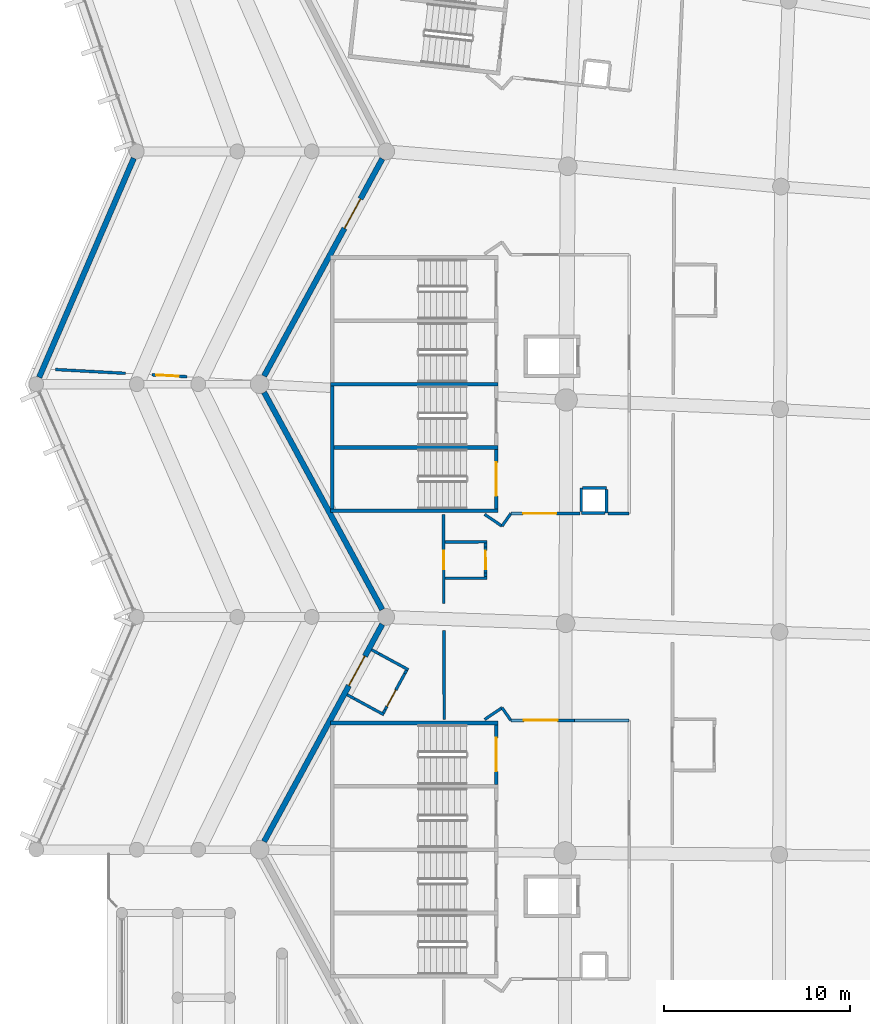
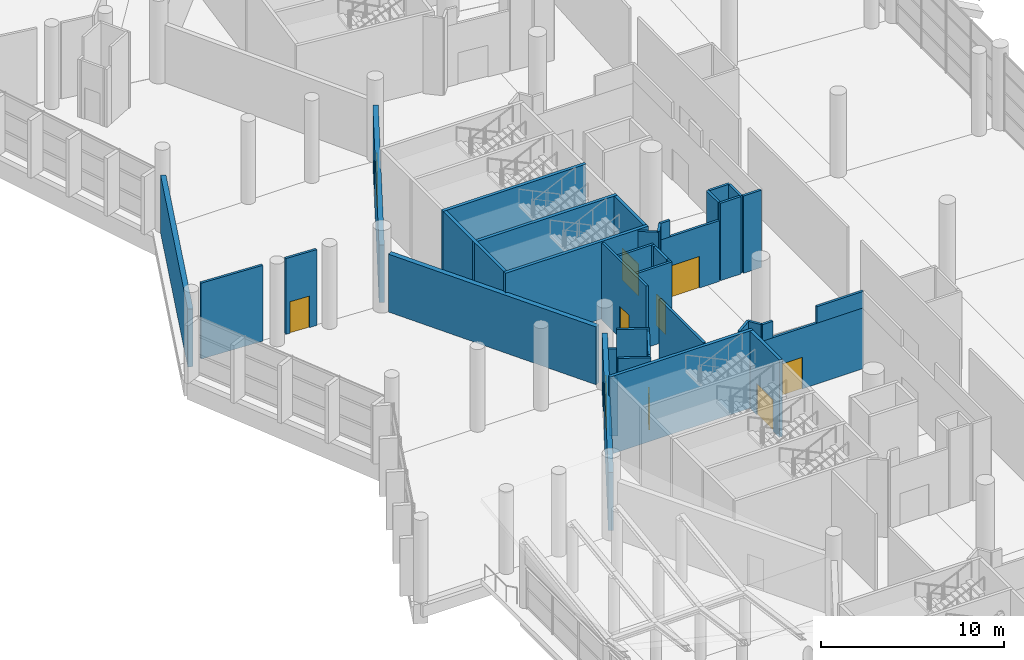
# One storey, part 180 of 271: 41 walls, 10 doors, 10 openings.
"""IFC4 building model written with IfcOpenShell, lengths in metres."""

from ifc_helpers import new_model, si_unit, direction, frame, frame_2d, origin, place, context, subcontext, project, spatial, rectangle, extrude, material, layer, layer_set, type_object, element, fill, save


model = new_model("IFC4")

# Units and contexts
model_context = context("Model", 3, precision=1e-05, world=origin(), true_north=direction((0.0, 1.0)))
body_context = subcontext(model_context, "Body", "Model", "MODEL_VIEW")
ifc_project = project(units=[si_unit("LENGTHUNIT", "METRE"), si_unit("AREAUNIT", "SQUARE_METRE"), si_unit("VOLUMEUNIT", "CUBIC_METRE"), si_unit("PLANEANGLEUNIT", "RADIAN"), si_unit("MASSUNIT", "GRAM", prefix="KILO")], contexts=[model_context])

# Site, building, storey
site_placement = place(None, origin())
site = spatial("IfcSite", under=ifc_project, at=site_placement, CompositionType="ELEMENT")
building_placement = place(site_placement, origin())
building = spatial("IfcBuilding", under=site, at=building_placement, Name="Meseta Stadium", CompositionType="ELEMENT")
storey_placement = place(building_placement, frame((0.0, 0.0, 6.5)))
storey = spatial("IfcBuildingStorey", under=building, at=storey_placement, Name="L01", CompositionType="ELEMENT", Elevation=6.5)

# Walls
ifc_material_1 = material(Name="Concrete C40/50", Category="concrete")
ifc_layer_1 = layer(ifc_material_1, 0.199951171875)
ifc_layer_set_1 = layer_set([ifc_layer_1], Name="Core divider wall 200")
wall_type_1 = type_object("IfcWallType", Name="Core divider wall 200", PredefinedType="SHEAR", material=ifc_layer_set_1)
wall_1_placement = place(storey_placement, frame((-97.60009765625, 27.85009765625, 0.0), z_axis=(0.0, 0.0, 1.0), x_axis=(1.0, 0.0, 0.0)))
element("IfcWall", 1, at=wall_1_placement, inside=storey, type_object=wall_type_1, Name="Core 16 L01 stair B divider wall", PredefinedType="SHEAR", context=body_context, shape_type="SweptSolid", body=[
    extrude(rectangle(XDim=9.0, YDim=0.199951171875, at=frame_2d((4.5, 0.0))), origin(), (0.0, 0.0, 1.0), 5.14990234375),
])
ifc_material_2 = material(Name="Concrete C40/50", Category="concrete")
ifc_layer_2 = layer(ifc_material_2, 0.199951171875)
ifc_layer_set_2 = layer_set([ifc_layer_2], Name="Core shaft wall 200")
wall_type_2 = type_object("IfcWallType", Name="Core shaft wall 200", PredefinedType="SHEAR", material=ifc_layer_set_2)
for number, where, z_axis, x_axis, name in (
    (2, (-97.60009765625, 31.25, 0.0), (0.0, 0.0, 1.0), (1.0, 0.0, 0.0), "Core 16 L01 stair wall shared"),
    (3, (-97.60009765625, 24.449951171875, 0.0), (0.0, 0.0, 1.0), (1.0, 0.0, 0.0), "Core 16 L01 stair wall B-side"),
):
    element("IfcWall", number, at=place(storey_placement, frame(where, z_axis=z_axis, x_axis=x_axis)), inside=storey, type_object=wall_type_2, Name=name, PredefinedType="SHEAR", context=body_context, shape_type="SweptSolid", body=[
        extrude(rectangle(XDim=9.0, YDim=0.199951171875, at=frame_2d((4.5, 0.0))), origin(), (0.0, 0.0, 1.0), 5.14990234375),
    ])
wall_2_placement = place(storey_placement, frame((-97.5, 31.14990234375, 0.0), z_axis=(0.0, 0.0, 1.0), x_axis=(0.0, -1.0, 0.0)))
element("IfcWall", 4, at=wall_2_placement, inside=storey, type_object=wall_type_2, Name="Core 16 L01 stair B outer end wall", PredefinedType="SHEAR", context=body_context, shape_type="SweptSolid", body=[
    extrude(rectangle(XDim=6.599853515625, YDim=0.199951171875, at=frame_2d((3.2998046875, 0.0))), origin(), (0.0, 0.0, 1.0), 5.14990234375),
])

# Wall, opening, door
wall_3_placement = place(storey_placement, frame((-88.699951171875, 27.75, 0.0), z_axis=(0.0, 0.0, 1.0), x_axis=(0.0, -1.0, 0.0)))
wall_3 = element("IfcWall", 5, at=wall_3_placement, inside=storey, type_object=wall_type_2, Name="Core 16 L01 stair B2 inner end wall", PredefinedType="SHEAR", context=body_context, shape_type="SweptSolid", body=[
    extrude(rectangle(XDim=3.199951171875, YDim=0.199951171875, at=frame_2d((1.60009765625, 0.0))), origin(), (0.0, 0.0, 1.0), 5.14990234375),
])
opening_1_placement = place(wall_3_placement, frame((0.699951171875, 0.0, 0.0)))
opening_1 = element("IfcOpeningElement", 6, at=opening_1_placement, cuts=wall_3, Name="Opening D222", PredefinedType="OPENING", context=body_context, shape_type="SweptSolid", body=[
    extrude(rectangle(XDim=1.800048828125, YDim=2.10009765625, at=frame_2d((0.89990234375, 1.050048828125))), frame((0.0, 0.10986328125, 0.0), z_axis=(0.0, -1.0, 0.0), x_axis=(1.0, 0.0, 0.0)), (0.0, 0.0, 1.0), 0.219970703125),
])
ifc_material_3 = material(Name="Steel", Category="steel")
door_type_1 = type_object("IfcDoorType", Name="Stair door 1800x2100", OperationType="DOUBLE_DOOR_SINGLE_SWING", PredefinedType="DOOR", material=ifc_material_3)
door_1_placement = place(opening_1_placement, origin())
door_1 = element("IfcDoor", 7, at=door_1_placement, inside=storey, type_object=door_type_1, Name="Stair B2 door 16 L01", OperationType="DOUBLE_DOOR_SINGLE_SWING", OverallHeight=2.10009765625, OverallWidth=1.800048828125, PredefinedType="DOOR", context=body_context, shape_type="SweptSolid", body=[
    extrude(rectangle(XDim=1.800048828125, YDim=2.10009765625, at=frame_2d((0.89990234375, 1.050048828125))), frame((0.0, 0.02490234375, 0.0), z_axis=(0.0, -1.0, 0.0), x_axis=(1.0, 0.0, 0.0)), (0.0, 0.0, 1.0), 0.050048828125),
])
fill(opening_1, door_1)

# Wall
wall_4_placement = place(storey_placement, frame((-97.60009765625, 13.050048828125, 0.0), z_axis=(0.0, 0.0, 1.0), x_axis=(1.0, 0.0, 0.0)))
element("IfcWall", 8, at=wall_4_placement, inside=storey, type_object=wall_type_2, Name="Core 17 L01 stair wall A-side", PredefinedType="SHEAR", context=body_context, shape_type="SweptSolid", body=[
    extrude(rectangle(XDim=9.0, YDim=0.199951171875, at=frame_2d((4.5, 0.0))), origin(), (0.0, 0.0, 1.0), 5.14990234375),
])

# Wall, opening, door
wall_5_placement = place(storey_placement, frame((-88.699951171875, 12.949951171875, 0.0), z_axis=(0.0, 0.0, 1.0), x_axis=(0.0, -1.0, 0.0)))
wall_5 = element("IfcWall", 9, at=wall_5_placement, inside=storey, type_object=wall_type_2, Name="Core 17 L01 stair A1 inner end wall", PredefinedType="SHEAR", context=body_context, shape_type="SweptSolid", body=[
    extrude(rectangle(XDim=3.199951171875, YDim=0.199951171875, at=frame_2d((1.60009765625, 0.0))), origin(), (0.0, 0.0, 1.0), 5.14990234375),
])
opening_2_placement = place(wall_5_placement, frame((0.699951171875, 0.0, 0.0)))
opening_2 = element("IfcOpeningElement", 10, at=opening_2_placement, cuts=wall_5, Name="Opening D233", PredefinedType="OPENING", context=body_context, shape_type="SweptSolid", body=[
    extrude(rectangle(XDim=1.800048828125, YDim=2.10009765625, at=frame_2d((0.89990234375, 1.050048828125))), frame((0.0, 0.10986328125, 0.0), z_axis=(0.0, -1.0, 0.0), x_axis=(1.0, 0.0, 0.0)), (0.0, 0.0, 1.0), 0.219970703125),
])
door_2_placement = place(opening_2_placement, origin())
door_2 = element("IfcDoor", 11, at=door_2_placement, inside=storey, type_object=door_type_1, Name="Stair A1 door 17 L01", OperationType="DOUBLE_DOOR_SINGLE_SWING", OverallHeight=2.10009765625, OverallWidth=1.800048828125, PredefinedType="DOOR", context=body_context, shape_type="SweptSolid", body=[
    extrude(rectangle(XDim=1.800048828125, YDim=2.10009765625, at=frame_2d((0.89990234375, 1.050048828125))), frame((0.0, 0.02490234375, 0.0), z_axis=(0.0, -1.0, 0.0), x_axis=(1.0, 0.0, 0.0)), (0.0, 0.0, 1.0), 0.050048828125),
])
fill(opening_2, door_2)

ifc_material_4 = material(Name="Masonry blockwork", Category="masonry")
ifc_layer_3 = layer(ifc_material_4, 0.14990234375)
ifc_layer_set_3 = layer_set([ifc_layer_3], Name="Partition 150")
wall_type_3 = type_object("IfcWallType", Name="Partition 150", PredefinedType="PARTITIONING", material=ifc_layer_set_3)
wall_6_placement = place(storey_placement, frame((-91.528564453125, 24.25, 0.0), z_axis=(0.0, 0.0, 1.0), x_axis=(0.00367531974, -0.99999324599, 0.0)))
wall_6 = element("IfcWall", 12, at=wall_6_placement, inside=storey, type_object=wall_type_3, Name="Partition L01 L01-cell15-2-0", PredefinedType="PARTITIONING", context=body_context, shape_type="SweptSolid", body=[
    extrude(rectangle(XDim=4.78271484375, YDim=0.14990234375, at=frame_2d((2.391357421875, 0.0))), origin(), (0.0, 0.0, 1.0), 5.14990234375),
])
opening_3_placement = place(wall_6_placement, frame((1.949951171875, 0.0, 0.0)))
opening_3 = element("IfcOpeningElement", 13, at=opening_3_placement, cuts=wall_6, Name="Opening D661", PredefinedType="OPENING", context=body_context, shape_type="SweptSolid", body=[
    extrude(rectangle(XDim=1.0, YDim=2.10009765625, at=frame_2d((0.5, 1.050048828125))), frame((0.0, 0.0849609375, 0.0), z_axis=(0.0, -1.0, 0.0), x_axis=(1.0, 0.0, 0.0)), (0.0, 0.0, 1.0), 0.169921875),
])
ifc_material_5 = material(Name="Steel", Category="steel")
door_type_2 = type_object("IfcDoorType", Name="Fire door 1000x2100 EI2 60", OperationType="NOTDEFINED", PredefinedType="DOOR", material=ifc_material_5)
door_3_placement = place(opening_3_placement, origin())
door_3 = element("IfcDoor", 14, at=door_3_placement, inside=storey, type_object=door_type_2, Name="Door D661", OperationType="SINGLE_SWING_RIGHT", OverallHeight=2.10009765625, OverallWidth=1.0, PredefinedType="DOOR", context=body_context, shape_type="SweptSolid", body=[
    extrude(rectangle(XDim=1.0, YDim=2.10009765625, at=frame_2d((0.5, 1.050048828125))), frame((0.0, 0.02490234375, 0.0), z_axis=(0.0, -1.0, 0.0), x_axis=(1.0, 0.0, 0.0)), (0.0, 0.0, 1.0), 0.050048828125),
])
fill(opening_3, door_3)

# Wall
wall_7_placement = place(storey_placement, frame((-91.505615234375, 18.03271484375, 0.0), z_axis=(0.0, 0.0, 1.0), x_axis=(0.003624274308, -0.999993432296, 0.0)))
element("IfcWall", 15, at=wall_7_placement, inside=storey, type_object=wall_type_3, Name="Partition L01 L01-cell15-2-0", PredefinedType="PARTITIONING", context=body_context, shape_type="SweptSolid", body=[
    extrude(rectangle(XDim=4.78271484375, YDim=0.14990234375, at=frame_2d((2.391357421875, 0.0))), origin(), (0.0, 0.0, 1.0), 5.14990234375),
])

# Wall, opening, door
wall_8_placement = place(storey_placement, frame((-107.192626953125, 31.75390625, 0.0), z_axis=(0.0, 0.0, 1.0), x_axis=(0.998499535397, -0.054760184555, 0.0)))
wall_8 = element("IfcWall", 16, at=wall_8_placement, inside=storey, type_object=wall_type_3, Name="Partition L01 L01-ring14-0", PredefinedType="PARTITIONING", context=body_context, shape_type="SweptSolid", body=[
    extrude(rectangle(XDim=1.885986328125, YDim=0.14990234375, at=frame_2d((0.94287109375, 0.0))), origin(), (0.0, 0.0, 1.0), 5.050048828125),
])
opening_4_placement = place(wall_8_placement, frame((0.23583984375, 0.0, 0.0)))
opening_4 = element("IfcOpeningElement", 17, at=opening_4_placement, cuts=wall_8, Name="Opening D696", PredefinedType="OPENING", context=body_context, shape_type="SweptSolid", body=[
    extrude(rectangle(XDim=1.199951171875, YDim=2.10009765625, at=frame_2d((0.60009765625, 1.050048828125))), frame((0.0, 0.0849609375, 0.0), z_axis=(0.0, -1.0, 0.0), x_axis=(1.0, 0.0, 0.0)), (0.0, 0.0, 1.0), 0.169921875),
])
ifc_material_6 = material(Name="Steel", Category="steel")
door_type_3 = type_object("IfcDoorType", Name="Fire door 1200x2100 EI2 60", OperationType="NOTDEFINED", PredefinedType="DOOR", material=ifc_material_6)
door_4_placement = place(opening_4_placement, origin())
door_4 = element("IfcDoor", 18, at=door_4_placement, inside=storey, type_object=door_type_3, Name="Door D696", OperationType="SINGLE_SWING_LEFT", OverallHeight=2.10009765625, OverallWidth=1.199951171875, PredefinedType="DOOR", context=body_context, shape_type="SweptSolid", body=[
    extrude(rectangle(XDim=1.199951171875, YDim=2.10009765625, at=frame_2d((0.60009765625, 1.050048828125))), frame((0.0, 0.02490234375, 0.0), z_axis=(0.0, -1.0, 0.0), x_axis=(1.0, 0.0, 0.0)), (0.0, 0.0, 1.0), 0.050048828125),
])
fill(opening_4, door_4)

# Walls
wall_9_placement = place(storey_placement, frame((-108.604736328125, 31.831298828125, 0.0), z_axis=(0.0, 0.0, 1.0), x_axis=(-0.998499535397, 0.054760184555, 0.0)))
element("IfcWall", 19, at=wall_9_placement, inside=storey, type_object=wall_type_3, Name="Partition L01 L01-ring14-0", PredefinedType="PARTITIONING", context=body_context, shape_type="SweptSolid", body=[
    extrude(rectangle(XDim=3.771728515625, YDim=0.14990234375, at=frame_2d((1.8857421875, 0.0))), origin(), (0.0, 0.0, 1.0), 5.050048828125),
])
wall_10_placement = place(storey_placement, frame((-84.125, 25.675048828125, 0.0), z_axis=(0.0, 0.0, 1.0), x_axis=(0.0, -1.0, 0.0)))
element("IfcWall", 20, at=wall_10_placement, inside=storey, type_object=wall_type_3, Name="Pressurisation shaft wall L01 core 16", PredefinedType="PARTITIONING", context=body_context, shape_type="SweptSolid", body=[
    extrude(rectangle(XDim=1.275146484375, YDim=0.14990234375, at=frame_2d((0.6376953125, 0.0))), origin(), (0.0, 0.0, 1.0), 5.14990234375),
])
wall_11_placement = place(storey_placement, frame((-84.125, 24.324951171875, 0.0), z_axis=(0.0, 0.0, 1.0), x_axis=(1.0, 0.0, 0.0)))
element("IfcWall", 21, at=wall_11_placement, inside=storey, type_object=wall_type_3, Name="Pressurisation shaft wall L01 core 16", PredefinedType="PARTITIONING", context=body_context, shape_type="SweptSolid", body=[
    extrude(rectangle(XDim=1.27490234375, YDim=0.14990234375, at=frame_2d((0.637451171875, 0.0))), origin(), (0.0, 0.0, 1.0), 5.14990234375),
])
for number, where, z_axis, x_axis, name in (
    (22, (-82.77490234375, 24.324951171875, 0.0), (0.0, 0.0, 1.0), (0.0, 1.0, 0.0), "Pressurisation shaft wall L01 core 16"),
    (23, (-82.77490234375, 25.675048828125, 0.0), (0.0, 0.0, 1.0), (-1.0, 0.0, 0.0), "Pressurisation shaft wall L01 core 16"),
):
    element("IfcWall", number, at=place(storey_placement, frame(where, z_axis=z_axis, x_axis=x_axis)), inside=storey, type_object=wall_type_3, Name=name, PredefinedType="PARTITIONING", context=body_context, shape_type="SweptSolid", body=[
        extrude(rectangle(XDim=1.275146484375, YDim=0.14990234375, at=frame_2d((0.6376953125, 0.0))), origin(), (0.0, 0.0, 1.0), 5.14990234375),
    ])
wall_12_placement = place(storey_placement, frame((-89.319580078125, 24.260498046875, 0.0), z_axis=(0.0, 0.0, 1.0), x_axis=(0.827055308354, -0.562120553728, 0.0)))
element("IfcWall", 24, at=wall_12_placement, inside=storey, type_object=wall_type_3, Name="Stair vestibule wall L01 core 16", PredefinedType="PARTITIONING", context=body_context, shape_type="SweptSolid", body=[
    extrude(rectangle(XDim=1.1279296875, YDim=0.14990234375, at=frame_2d((0.56396484375, 0.0))), origin(), (0.0, 0.0, 1.0), 5.14990234375),
])
wall_13_placement = place(storey_placement, frame((-88.38671875, 23.62646484375, 0.0), z_axis=(0.0, 0.0, 1.0), x_axis=(0.575376756214, 0.817888493872, 0.0)))
element("IfcWall", 25, at=wall_13_placement, inside=storey, type_object=wall_type_3, Name="Stair vestibule wall L01 core 16", PredefinedType="PARTITIONING", context=body_context, shape_type="SweptSolid", body=[
    extrude(rectangle(XDim=0.82958984375, YDim=0.14990234375, at=frame_2d((0.414794921875, 0.0))), origin(), (0.0, 0.0, 1.0), 5.14990234375),
])

# Wall, opening, door
wall_14_placement = place(storey_placement, frame((-87.909423828125, 24.304931640625, 0.0), z_axis=(0.0, 0.0, 1.0), x_axis=(1.0, 0.0, 0.0)))
wall_14 = element("IfcWall", 26, at=wall_14_placement, inside=storey, type_object=wall_type_3, Name="Stair vestibule wall L01 core 16", PredefinedType="PARTITIONING", context=body_context, shape_type="SweptSolid", body=[
    extrude(rectangle(XDim=3.70361328125, YDim=0.14990234375, at=frame_2d((1.851806640625, 0.0))), origin(), (0.0, 0.0, 1.0), 4.050048828125),
])
opening_5_placement = place(wall_14_placement, frame((0.64990234375, 0.0, 0.0)))
opening_5 = element("IfcOpeningElement", 27, at=opening_5_placement, cuts=wall_14, Name="Opening D783", PredefinedType="OPENING", context=body_context, shape_type="SweptSolid", body=[
    extrude(rectangle(XDim=1.800048828125, YDim=2.10009765625, at=frame_2d((0.89990234375, 1.050048828125))), frame((0.0, 0.0849609375, 0.0), z_axis=(0.0, -1.0, 0.0), x_axis=(1.0, 0.0, 0.0)), (0.0, 0.0, 1.0), 0.169921875),
])
ifc_material_7 = material(Name="Steel", Category="steel")
door_type_4 = type_object("IfcDoorType", Name="Fire double door 1800x2100 EI2 60", OperationType="DOUBLE_DOOR_SINGLE_SWING", PredefinedType="DOOR", material=ifc_material_7)
door_5_placement = place(opening_5_placement, origin())
door_5 = element("IfcDoor", 28, at=door_5_placement, inside=storey, type_object=door_type_4, Name="Stair vestibule door L01 core 16", OperationType="DOUBLE_DOOR_SINGLE_SWING", OverallHeight=2.10009765625, OverallWidth=1.800048828125, PredefinedType="DOOR", context=body_context, shape_type="SweptSolid", body=[
    extrude(rectangle(XDim=1.800048828125, YDim=2.10009765625, at=frame_2d((0.89990234375, 1.050048828125))), frame((0.0, 0.02490234375, 0.0), z_axis=(0.0, -1.0, 0.0), x_axis=(1.0, 0.0, 0.0)), (0.0, 0.0, 1.0), 0.050048828125),
])
fill(opening_5, door_5)

# Walls
wall_15_placement = place(storey_placement, frame((-87.909423828125, 24.304931640625, 4.050048828125), z_axis=(0.0, 0.0, 1.0), x_axis=(1.0, 0.0, 0.0)))
element("IfcWall", 29, at=wall_15_placement, inside=storey, type_object=wall_type_3, Name="Stair vestibule wall L01 core 16", PredefinedType="PARTITIONING", context=body_context, shape_type="SweptSolid", body=[
    extrude(rectangle(XDim=0.599853515625, YDim=0.14990234375, at=frame_2d((0.2998046875, 0.0))), origin(), (0.0, 0.0, 1.0), 1.099853515625),
])
wall_16_placement = place(storey_placement, frame((-82.68994140625, 24.304931640625, 0.0), z_axis=(0.0, 0.0, 1.0), x_axis=(1.0, 0.0, 0.0)))
element("IfcWall", 30, at=wall_16_placement, inside=storey, type_object=wall_type_3, Name="Stair vestibule wall L01 core 16", PredefinedType="PARTITIONING", context=body_context, shape_type="SweptSolid", body=[
    extrude(rectangle(XDim=1.135009765625, YDim=0.14990234375, at=frame_2d((0.5673828125, 0.0))), origin(), (0.0, 0.0, 1.0), 5.14990234375),
])

# Wall, opening, door
wall_17_placement = place(storey_placement, frame((-81.554931640625, 13.195068359375, 0.0), z_axis=(0.0, 0.0, 1.0), x_axis=(-1.0, 0.0, 0.0)))
wall_17 = element("IfcWall", 31, at=wall_17_placement, inside=storey, type_object=wall_type_3, Name="Stair vestibule wall L01 core 17", PredefinedType="PARTITIONING", context=body_context, shape_type="SweptSolid", body=[
    extrude(rectangle(XDim=6.354248046875, YDim=0.14990234375, at=frame_2d((3.17724609375, 0.0))), origin(), (0.0, 0.0, 1.0), 4.050048828125),
])
opening_6_placement = place(wall_17_placement, frame((3.85009765625, 0.0, 0.0)))
opening_6 = element("IfcOpeningElement", 32, at=opening_6_placement, cuts=wall_17, Name="Opening D787", PredefinedType="OPENING", context=body_context, shape_type="SweptSolid", body=[
    extrude(rectangle(XDim=1.800048828125, YDim=2.10009765625, at=frame_2d((0.89990234375, 1.050048828125))), frame((0.0, 0.0849609375, 0.0), z_axis=(0.0, -1.0, 0.0), x_axis=(1.0, 0.0, 0.0)), (0.0, 0.0, 1.0), 0.169921875),
])
door_6_placement = place(opening_6_placement, origin())
door_6 = element("IfcDoor", 33, at=door_6_placement, inside=storey, type_object=door_type_4, Name="Stair vestibule door L01 core 17", OperationType="DOUBLE_DOOR_SINGLE_SWING", OverallHeight=2.10009765625, OverallWidth=1.800048828125, PredefinedType="DOOR", context=body_context, shape_type="SweptSolid", body=[
    extrude(rectangle(XDim=1.800048828125, YDim=2.10009765625, at=frame_2d((0.89990234375, 1.050048828125))), frame((0.0, 0.02490234375, 0.0), z_axis=(0.0, -1.0, 0.0), x_axis=(1.0, 0.0, 0.0)), (0.0, 0.0, 1.0), 0.050048828125),
])
fill(opening_6, door_6)

# Walls
wall_18_placement = place(storey_placement, frame((-81.554931640625, 13.195068359375, 4.050048828125), z_axis=(0.0, 0.0, 1.0), x_axis=(-1.0, 0.0, 0.0)))
element("IfcWall", 34, at=wall_18_placement, inside=storey, type_object=wall_type_3, Name="Stair vestibule wall L01 core 17", PredefinedType="PARTITIONING", context=body_context, shape_type="SweptSolid", body=[
    extrude(rectangle(XDim=2.932861328125, YDim=0.14990234375, at=frame_2d((1.46630859375, 0.0))), origin(), (0.0, 0.0, 1.0), 1.099853515625),
])
wall_19_placement = place(storey_placement, frame((-87.2548828125, 13.195068359375, 4.050048828125), z_axis=(0.0, 0.0, 1.0), x_axis=(-1.0, 0.0, 0.0)))
element("IfcWall", 35, at=wall_19_placement, inside=storey, type_object=wall_type_3, Name="Stair vestibule wall L01 core 17", PredefinedType="PARTITIONING", context=body_context, shape_type="SweptSolid", body=[
    extrude(rectangle(XDim=0.654296875, YDim=0.14990234375, at=frame_2d((0.3271484375, 0.0))), origin(), (0.0, 0.0, 1.0), 1.099853515625),
])
wall_20_placement = place(storey_placement, frame((-87.9091796875, 13.195068359375, 0.0), z_axis=(0.0, 0.0, 1.0), x_axis=(-0.575573582652, 0.81774999294, 0.0)))
element("IfcWall", 36, at=wall_20_placement, inside=storey, type_object=wall_type_3, Name="Stair vestibule wall L01 core 17", PredefinedType="PARTITIONING", context=body_context, shape_type="SweptSolid", body=[
    extrude(rectangle(XDim=0.82958984375, YDim=0.14990234375, at=frame_2d((0.414794921875, 0.0))), origin(), (0.0, 0.0, 1.0), 5.14990234375),
])
wall_21_placement = place(storey_placement, frame((-88.38671875, 13.87353515625, 0.0), z_axis=(0.0, 0.0, 1.0), x_axis=(-0.827055308354, -0.562120553728, 0.0)))
element("IfcWall", 37, at=wall_21_placement, inside=storey, type_object=wall_type_3, Name="Stair vestibule wall L01 core 17", PredefinedType="PARTITIONING", context=body_context, shape_type="SweptSolid", body=[
    extrude(rectangle(XDim=1.1279296875, YDim=0.14990234375, at=frame_2d((0.56396484375, 0.0))), origin(), (0.0, 0.0, 1.0), 5.14990234375),
])
for number, where, z_axis, x_axis, name in (
    (38, (-91.4482421875, 22.775390625, 0.0), (0.0, 0.0, 1.0), (0.999993194838, 0.003689211005, 0.0), "Partition L01 L01-cell15-2-0 vestibule"),
    (39, (-91.44091796875, 20.8251953125, 0.0), (0.0, 0.0, 1.0), (0.999993194838, 0.003689211005, 0.0), "Partition L01 L01-cell15-2-0 vestibule"),
):
    element("IfcWall", number, at=place(storey_placement, frame(where, z_axis=z_axis, x_axis=x_axis)), inside=storey, type_object=wall_type_3, Name=name, PredefinedType="PARTITIONING", context=body_context, shape_type="SweptSolid", body=[
        extrude(rectangle(XDim=2.25, YDim=0.14990234375, at=frame_2d((1.125, 0.0))), origin(), (0.0, 0.0, 1.0), 5.14990234375),
    ])
wall_22_placement = place(storey_placement, frame((-89.27294921875, 22.708251953125, 0.0), z_axis=(0.0, 0.0, 1.0), x_axis=(0.003662979089, -0.99999329127, 0.0)))
element("IfcWall", 40, at=wall_22_placement, inside=storey, type_object=wall_type_3, Name="Partition L01 L01-cell15-2-0 vestibule", PredefinedType="PARTITIONING", context=body_context, shape_type="SweptSolid", body=[
    extrude(rectangle(XDim=0.199951171875, YDim=0.14990234375, at=frame_2d((0.10009765625, 0.0))), origin(), (0.0, 0.0, 1.0), 5.14990234375),
])

# Wall, opening, door
wall_23_placement = place(storey_placement, frame((-89.272216796875, 22.50830078125, 0.0), z_axis=(0.0, 0.0, 1.0), x_axis=(0.00366234028, -0.999993293609, 0.0)))
wall_23 = element("IfcWall", 41, at=wall_23_placement, inside=storey, type_object=wall_type_3, Name="Partition L01 L01-cell15-2-0 vestibule", PredefinedType="PARTITIONING", context=body_context, shape_type="SweptSolid", body=[
    extrude(rectangle(XDim=1.39990234375, YDim=0.14990234375, at=frame_2d((0.699951171875, 0.0))), origin(), (0.0, 0.0, 1.0), 5.14990234375),
])
opening_7_placement = place(wall_23_placement, frame((0.199951171875, 0.0, 0.0)))
opening_7 = element("IfcOpeningElement", 42, at=opening_7_placement, cuts=wall_23, Name="Opening D905", PredefinedType="OPENING", context=body_context, shape_type="SweptSolid", body=[
    extrude(rectangle(XDim=1.0, YDim=2.10009765625, at=frame_2d((0.5, 1.050048828125))), frame((0.0, 0.0849609375, 0.0), z_axis=(0.0, -1.0, 0.0), x_axis=(1.0, 0.0, 0.0)), (0.0, 0.0, 1.0), 0.169921875),
])
door_7_placement = place(opening_7_placement, origin())
door_7 = element("IfcDoor", 43, at=door_7_placement, inside=storey, type_object=door_type_2, Name="Vestibule door L01 L01-cell15-2-0", OperationType="SINGLE_SWING_LEFT", OverallHeight=2.10009765625, OverallWidth=1.0, PredefinedType="DOOR", context=body_context, shape_type="SweptSolid", body=[
    extrude(rectangle(XDim=1.0, YDim=2.10009765625, at=frame_2d((0.5, 1.050048828125))), frame((0.0, 0.02490234375, 0.0), z_axis=(0.0, -1.0, 0.0), x_axis=(1.0, 0.0, 0.0)), (0.0, 0.0, 1.0), 0.050048828125),
])
fill(opening_7, door_7)

# Walls
wall_24_placement = place(storey_placement, frame((-89.26708984375, 21.1083984375, 0.0), z_axis=(0.0, 0.0, 1.0), x_axis=(0.003658512101, -0.999993307622, 0.0)))
element("IfcWall", 44, at=wall_24_placement, inside=storey, type_object=wall_type_3, Name="Partition L01 L01-cell15-2-0 vestibule", PredefinedType="PARTITIONING", context=body_context, shape_type="SweptSolid", body=[
    extrude(rectangle(XDim=0.2001953125, YDim=0.14990234375, at=frame_2d((0.10009765625, 0.0))), origin(), (0.0, 0.0, 1.0), 5.14990234375),
])
wall_25_placement = place(storey_placement, frame((-96.7021484375, 14.57177734375, 0.0), z_axis=(0.0, 0.0, 1.0), x_axis=(0.878372019733, -0.477977609256, 0.0)))
element("IfcWall", 45, at=wall_25_placement, inside=storey, type_object=wall_type_3, Name="Partition L01 L01-cell15-2-0 vestibule", PredefinedType="PARTITIONING", context=body_context, shape_type="SweptSolid", body=[
    extrude(rectangle(XDim=0.449951171875, YDim=0.14990234375, at=frame_2d((0.22509765625, 0.0))), origin(), (0.0, 0.0, 1.0), 3.85009765625),
])
wall_26_placement = place(storey_placement, frame((-96.306884765625, 14.356689453125, 0.0), z_axis=(0.0, 0.0, 1.0), x_axis=(0.878428962466, -0.477872951632, 0.0)))
element("IfcWall", 46, at=wall_26_placement, inside=storey, type_object=wall_type_3, Name="Partition L01 L01-cell15-2-0 vestibule", PredefinedType="PARTITIONING", context=body_context, shape_type="SweptSolid", body=[
    extrude(rectangle(XDim=1.7998046875, YDim=0.14990234375, at=frame_2d((0.89990234375, 0.0))), origin(), (0.0, 0.0, 1.0), 5.14990234375),
])
wall_27_placement = place(storey_placement, frame((-95.38818359375, 16.9873046875, 0.0), z_axis=(0.0, 0.0, 1.0), x_axis=(0.878372019733, -0.477977609256, 0.0)))
element("IfcWall", 47, at=wall_27_placement, inside=storey, type_object=wall_type_3, Name="Partition L01 L01-cell15-2-0 vestibule", PredefinedType="PARTITIONING", context=body_context, shape_type="SweptSolid", body=[
    extrude(rectangle(XDim=0.449951171875, YDim=0.14990234375, at=frame_2d((0.22509765625, 0.0))), origin(), (0.0, 0.0, 1.0), 3.85009765625),
])
wall_28_placement = place(storey_placement, frame((-94.992919921875, 16.772216796875, 0.0), z_axis=(0.0, 0.0, 1.0), x_axis=(0.878459932885, -0.477816017223, 0.0)))
element("IfcWall", 48, at=wall_28_placement, inside=storey, type_object=wall_type_3, Name="Partition L01 L01-cell15-2-0 vestibule", PredefinedType="PARTITIONING", context=body_context, shape_type="SweptSolid", body=[
    extrude(rectangle(XDim=1.800048828125, YDim=0.14990234375, at=frame_2d((0.89990234375, 0.0))), origin(), (0.0, 0.0, 1.0), 5.14990234375),
])
wall_29_placement = place(storey_placement, frame((-94.755859375, 13.59814453125, 0.0), z_axis=(0.0, 0.0, 1.0), x_axis=(0.478168266369, 0.878268244352, 0.0)))
element("IfcWall", 49, at=wall_29_placement, inside=storey, type_object=wall_type_3, Name="Partition L01 L01-cell15-2-0 vestibule", PredefinedType="PARTITIONING", context=body_context, shape_type="SweptSolid", body=[
    extrude(rectangle(XDim=0.2001953125, YDim=0.14990234375, at=frame_2d((0.10009765625, 0.0))), origin(), (0.0, 0.0, 1.0), 5.14990234375),
])

# Wall, opening, door
wall_30_placement = place(storey_placement, frame((-94.66015625, 13.77392578125, 0.0), z_axis=(0.0, 0.0, 1.0), x_axis=(0.477887643273, 0.878420969927, 0.0)))
wall_30 = element("IfcWall", 50, at=wall_30_placement, inside=storey, type_object=wall_type_3, Name="Partition L01 L01-cell15-2-0 vestibule", PredefinedType="PARTITIONING", context=body_context, shape_type="SweptSolid", body=[
    extrude(rectangle(XDim=2.19970703125, YDim=0.14990234375, at=frame_2d((1.099853515625, 0.0))), origin(), (0.0, 0.0, 1.0), 5.14990234375),
])
opening_8_placement = place(wall_30_placement, frame((0.199951171875, 0.0, 0.0)))
opening_8 = element("IfcOpeningElement", 51, at=opening_8_placement, cuts=wall_30, Name="Opening D906", PredefinedType="OPENING", context=body_context, shape_type="SweptSolid", body=[
    extrude(rectangle(XDim=1.0, YDim=2.10009765625, at=frame_2d((0.5, 1.050048828125))), frame((0.0, 0.0849609375, 0.0), z_axis=(0.0, -1.0, 0.0), x_axis=(1.0, 0.0, 0.0)), (0.0, 0.0, 1.0), 0.169921875),
])
door_8_placement = place(opening_8_placement, origin())
door_8 = element("IfcDoor", 52, at=door_8_placement, inside=storey, type_object=door_type_2, Name="Vestibule door L01 L01-cell15-2-0", OperationType="SINGLE_SWING_LEFT", OverallHeight=2.10009765625, OverallWidth=1.0, PredefinedType="DOOR", context=body_context, shape_type="SweptSolid", body=[
    extrude(rectangle(XDim=1.0, YDim=2.10009765625, at=frame_2d((0.5, 1.050048828125))), frame((0.0, 0.02490234375, 0.0), z_axis=(0.0, -1.0, 0.0), x_axis=(1.0, 0.0, 0.0)), (0.0, 0.0, 1.0), 0.050048828125),
])
fill(opening_8, door_8)

# Wall
wall_31_placement = place(storey_placement, frame((-93.60888671875, 15.706298828125, 0.0), z_axis=(0.0, 0.0, 1.0), x_axis=(0.477226530971, 0.878780312785, 0.0)))
element("IfcWall", 53, at=wall_31_placement, inside=storey, type_object=wall_type_3, Name="Partition L01 L01-cell15-2-0 vestibule", PredefinedType="PARTITIONING", context=body_context, shape_type="SweptSolid", body=[
    extrude(rectangle(XDim=0.199951171875, YDim=0.14990234375, at=frame_2d((0.10009765625, 0.0))), origin(), (0.0, 0.0, 1.0), 5.14990234375),
])

# Wall, opening, door
ifc_material_8 = material(Name="White precast concrete C40/50", Category="concrete")
ifc_layer_4 = layer(ifc_material_8, 0.300048828125)
ifc_layer_set_4 = layer_set([ifc_layer_4], Name="Pleated panel wall 300 concourse")
wall_type_4 = type_object("IfcWallType", Name="Pleated panel wall 300 concourse", PredefinedType="SOLIDWALL", material=ifc_layer_set_4)
wall_32_placement = place(storey_placement, frame((-101.1611328125, 31.68896484375, 0.0), z_axis=(0.0, 0.0, 1.0), x_axis=(0.477867771117, 0.878431780691, 0.0)))
wall_32 = element("IfcWall", 54, at=wall_32_placement, inside=storey, type_object=wall_type_4, Name="Pleated facade panel L01 F29", PredefinedType="SOLIDWALL", context=body_context, shape_type="SweptSolid", body=[
    extrude(rectangle(XDim=13.2802734375, YDim=0.300048828125, at=frame_2d((6.64013671875, 0.0))), origin(), (0.0, 0.0, 1.0), 3.85009765625),
])
opening_9_placement = place(wall_32_placement, frame((9.030029296875, 0.0, 0.0)))
opening_9 = element("IfcOpeningElement", 55, at=opening_9_placement, cuts=wall_32, Name="Opening D989", PredefinedType="OPENING", context=body_context, shape_type="SweptSolid", body=[
    extrude(rectangle(XDim=1.800048828125, YDim=2.39990234375, at=frame_2d((0.89990234375, 1.199951171875))), frame((0.0, 0.159912109375, 0.0), z_axis=(0.0, -1.0, 0.0), x_axis=(1.0, 0.0, 0.0)), (0.0, 0.0, 1.0), 0.320068359375),
])
ifc_material_9 = material(Name="Steel", Category="steel")
door_type_5 = type_object("IfcDoorType", Name="Concourse double door 1800x2400", OperationType="DOUBLE_DOOR_SINGLE_SWING", PredefinedType="DOOR", material=ifc_material_9)
door_9_placement = place(opening_9_placement, origin())
door_9 = element("IfcDoor", 56, at=door_9_placement, inside=storey, type_object=door_type_5, Name="Concourse door", OperationType="DOUBLE_DOOR_SINGLE_SWING", OverallHeight=2.39990234375, OverallWidth=1.800048828125, PredefinedType="DOOR", context=body_context, shape_type="SweptSolid", body=[
    extrude(rectangle(XDim=1.800048828125, YDim=2.39990234375, at=frame_2d((0.89990234375, 1.199951171875))), frame((0.0, 0.02490234375, 0.0), z_axis=(0.0, -1.0, 0.0), x_axis=(1.0, 0.0, 0.0)), (0.0, 0.0, 1.0), 0.050048828125),
])
fill(opening_9, door_9)

# Wall
wall_33_placement = place(storey_placement, frame((-94.81494140625, 19.145263671875, 0.0), z_axis=(0.0, 0.0, 1.0), x_axis=(-0.477867771117, 0.878431780691, 0.0)))
element("IfcWall", 57, at=wall_33_placement, inside=storey, type_object=wall_type_4, Name="Pleated facade panel L01 F30", PredefinedType="SOLIDWALL", context=body_context, shape_type="SweptSolid", body=[
    extrude(rectangle(XDim=13.2802734375, YDim=0.300048828125, at=frame_2d((6.64013671875, 0.0))), origin(), (0.0, 0.0, 1.0), 3.85009765625),
])

# Wall, opening, door
wall_34_placement = place(storey_placement, frame((-101.1611328125, 6.68896484375, 0.0), z_axis=(0.0, 0.0, 1.0), x_axis=(0.477867771117, 0.878431780691, 0.0)))
wall_34 = element("IfcWall", 58, at=wall_34_placement, inside=storey, type_object=wall_type_4, Name="Pleated facade panel L01 F31", PredefinedType="SOLIDWALL", context=body_context, shape_type="SweptSolid", body=[
    extrude(rectangle(XDim=13.2802734375, YDim=0.300048828125, at=frame_2d((6.64013671875, 0.0))), origin(), (0.0, 0.0, 1.0), 3.85009765625),
])
opening_10_placement = place(wall_34_placement, frame((9.530029296875, 0.0, 0.0)))
opening_10 = element("IfcOpeningElement", 59, at=opening_10_placement, cuts=wall_34, Name="Opening D990", PredefinedType="OPENING", context=body_context, shape_type="SweptSolid", body=[
    extrude(rectangle(XDim=1.800048828125, YDim=2.39990234375, at=frame_2d((0.89990234375, 1.199951171875))), frame((0.0, 0.159912109375, 0.0), z_axis=(0.0, -1.0, 0.0), x_axis=(1.0, 0.0, 0.0)), (0.0, 0.0, 1.0), 0.320068359375),
])
ifc_material_10 = material(Name="Steel", Category="steel")
door_type_6 = type_object("IfcDoorType", Name="Fire double door 1800x2400 EI2 60", OperationType="DOUBLE_DOOR_SINGLE_SWING", PredefinedType="DOOR", material=ifc_material_10)
door_10_placement = place(opening_10_placement, origin())
door_10 = element("IfcDoor", 60, at=door_10_placement, inside=storey, type_object=door_type_6, Name="Concourse door", OperationType="DOUBLE_DOOR_SINGLE_SWING", OverallHeight=2.39990234375, OverallWidth=1.800048828125, PredefinedType="DOOR", context=body_context, shape_type="SweptSolid", body=[
    extrude(rectangle(XDim=1.800048828125, YDim=2.39990234375, at=frame_2d((0.89990234375, 1.199951171875))), frame((0.0, 0.02490234375, 0.0), z_axis=(0.0, -1.0, 0.0), x_axis=(1.0, 0.0, 0.0)), (0.0, 0.0, 1.0), 0.050048828125),
])
fill(opening_10, door_10)

# Wall
ifc_material_11 = material(Name="Precast concrete C40/50", Category="concrete")
ifc_layer_5 = layer(ifc_material_11, 0.300048828125)
ifc_layer_set_5 = layer_set([ifc_layer_5], Name="Ring facade panel wall 300")
wall_type_5 = type_object("IfcWallType", Name="Ring facade panel wall 300", PredefinedType="SOLIDWALL", material=ifc_layer_set_5)
wall_35_placement = place(storey_placement, frame((-113.241455078125, 31.6171875, 0.0), z_axis=(0.0, 0.0, 1.0), x_axis=(0.396577588261, 0.918001207237, 0.0)))
element("IfcWall", 61, at=wall_35_placement, inside=storey, type_object=wall_type_5, Name="Ring plant panel wall L01 F29", PredefinedType="SOLIDWALL", context=body_context, shape_type="SweptSolid", body=[
    extrude(rectangle(XDim=12.816650390625, YDim=0.300048828125, at=frame_2d((6.408203125, 0.0))), origin(), (0.0, 0.0, 1.0), 3.85009765625),
])

save(model, "model.ifc")
